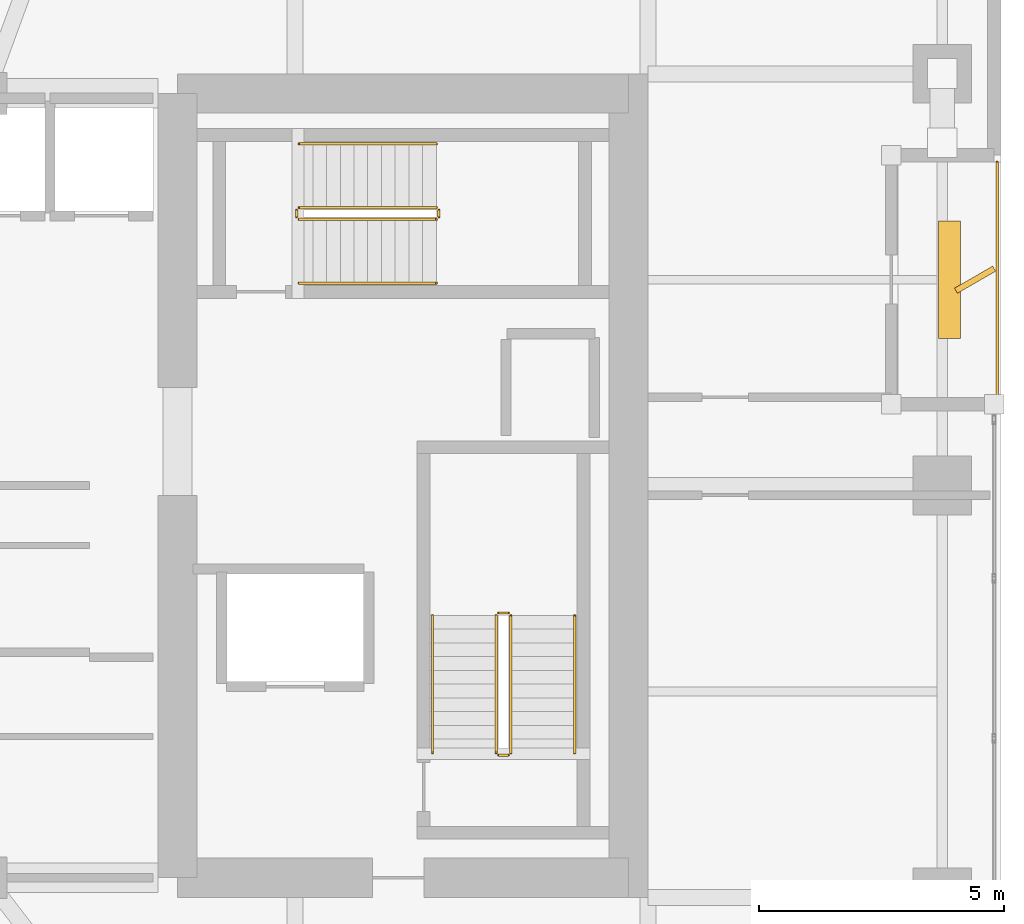
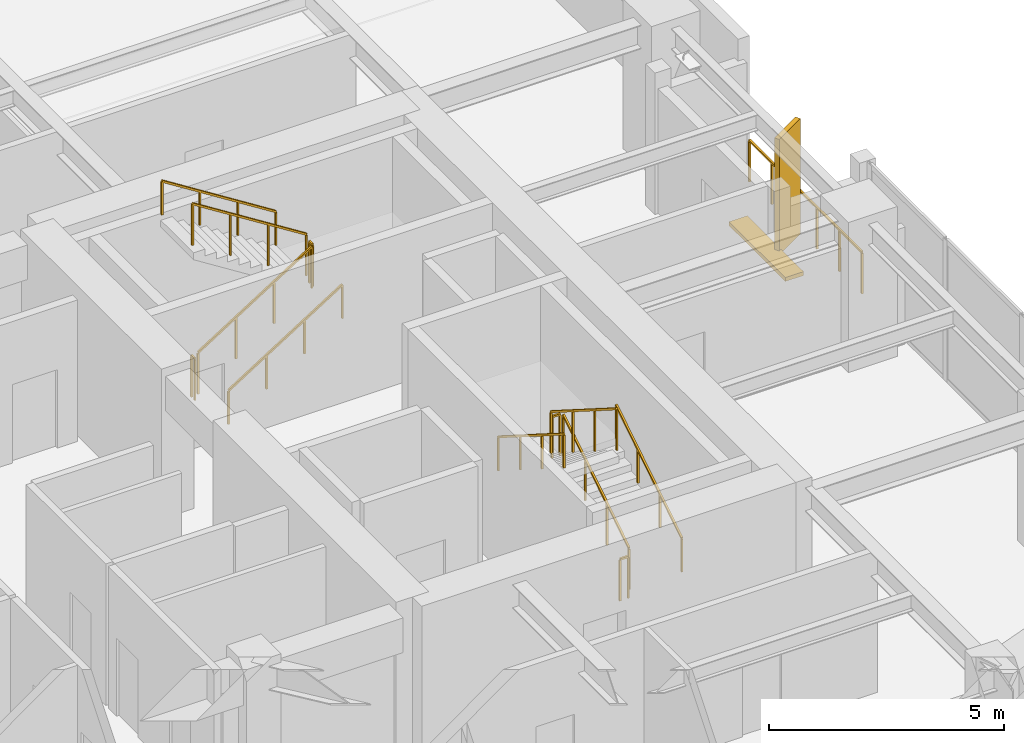
# One storey, part 29 of 30: 13 railings, 2 shading devices.
"""IFC4 building model written with IfcOpenShell, lengths in metres."""

from ifc_helpers import new_model, si_unit, direction, frame, origin, origin_2d, place, context, subcontext, project, spatial, rectangle, extrude, material, type_object, element, save


model = new_model("IFC4")

# Units and contexts
model_context = context("Model", 3, precision=1e-05, world=origin(), true_north=direction((0.0, 1.0)))
body_context = subcontext(model_context, "Body", "Model", "MODEL_VIEW")
ifc_project = project(units=[si_unit("LENGTHUNIT", "METRE"), si_unit("AREAUNIT", "SQUARE_METRE"), si_unit("VOLUMEUNIT", "CUBIC_METRE"), si_unit("PLANEANGLEUNIT", "RADIAN"), si_unit("MASSUNIT", "GRAM", prefix="KILO")], contexts=[model_context])

# Site, building, storey
site_placement = place(None, origin())
site = spatial("IfcSite", under=ifc_project, at=site_placement, CompositionType="ELEMENT")
building_placement = place(site_placement, origin())
building = spatial("IfcBuilding", under=site, at=building_placement, Name="Kiyonajd Concourse Tower", CompositionType="ELEMENT")
storey_placement = place(building_placement, frame((0.0, 0.0, 166.199951171875)))
storey = spatial("IfcBuildingStorey", under=building, at=storey_placement, Name="L42", CompositionType="ELEMENT", Elevation=166.199951171875)

# Railings
ifc_material_1 = material(Name="Thermally Broken Anodised Aluminium", Category="aluminium")
railing_type_1 = type_object("IfcRailingType", Name="RL-GRD-LOG", PredefinedType="GUARDRAIL", material=ifc_material_1)
railing_1_placement = place(storey_placement, frame((70.719970703125, 37.800048828125, 0.0)))
element("IfcRailing", 1, at=railing_1_placement, inside=storey, type_object=railing_type_1, Name="L42 Engawa Loggia Perimeter Guard LOG-E", PredefinedType="GUARDRAIL", context=body_context, shape_type="SweptSolid", body=[
    extrude(rectangle(XDim=0.048095703125, YDim=0.048095703125, at=origin_2d()), frame((0.0, 0.0, 1.076171875), z_axis=(0.0, 1.0, 0.0), x_axis=(-1.0, 0.0, 0.0)), (0.0, 0.0, 1.0), 4.800048828125),
    extrude(rectangle(XDim=0.0419921875, YDim=0.0419921875, at=origin_2d()), origin(), (0.0, 0.0, 1.0), 1.052001953125),
    extrude(rectangle(XDim=0.0419921875, YDim=0.0419921875, at=origin_2d()), frame((0.0, 0.9599609375, 0.0)), (0.0, 0.0, 1.0), 1.052001953125),
    extrude(rectangle(XDim=0.0419921875, YDim=0.0419921875, at=origin_2d()), frame((0.0, 1.919921875, 0.0)), (0.0, 0.0, 1.0), 1.052001953125),
    extrude(rectangle(XDim=0.0419921875, YDim=0.0419921875, at=origin_2d()), frame((0.0, 2.880126953125, 0.0)), (0.0, 0.0, 1.0), 1.052001953125),
    extrude(rectangle(XDim=0.0419921875, YDim=0.0419921875, at=origin_2d()), frame((0.0, 3.840087890625, 0.0)), (0.0, 0.0, 1.0), 1.052001953125),
    extrude(rectangle(XDim=0.0419921875, YDim=0.0419921875, at=origin_2d()), frame((0.0, 4.800048828125, 0.0)), (0.0, 0.0, 1.0), 1.052001953125),
])
ifc_material_2 = material(Name="Steel ASTM A500 Grade C", Category="steel")
railing_type_2 = type_object("IfcRailingType", Name="RL-GRD-STR", PredefinedType="GUARDRAIL", material=ifc_material_2)
railing_2_placement = place(storey_placement, frame((60.800048828125, 30.550048828125, 0.17724609375)))
element("IfcRailing", 2, at=railing_2_placement, inside=storey, type_object=railing_type_2, Name="L42 ST2 stair guard 1", PredefinedType="GUARDRAIL", context=body_context, shape_type="SweptSolid", body=[
    extrude(rectangle(XDim=0.048095703125, YDim=0.048095703125, at=origin_2d()), frame((0.0, 0.0, 1.076171875), z_axis=(0.0, 0.844908973607, 0.534910110503), x_axis=(-1.0, 0.0, 0.0)), (0.0, 0.0, 1.0), 3.31396484375),
    extrude(rectangle(XDim=0.0419921875, YDim=0.0419921875, at=origin_2d()), origin(), (0.0, 0.0, 1.0), 1.052001953125),
    extrude(rectangle(XDim=0.0419921875, YDim=0.0419921875, at=origin_2d()), frame((0.0, 0.933349609375, 0.5908203125)), (0.0, 0.0, 1.0), 1.052001953125),
    extrude(rectangle(XDim=0.0419921875, YDim=0.0419921875, at=origin_2d()), frame((0.0, 1.86669921875, 1.181884765625)), (0.0, 0.0, 1.0), 1.052001953125),
    extrude(rectangle(XDim=0.0419921875, YDim=0.0419921875, at=origin_2d()), frame((0.0, 2.800048828125, 1.772705078125)), (0.0, 0.0, 1.0), 1.052001953125),
])
railing_3_placement = place(storey_placement, frame((60.75, 33.39990234375, 1.949951171875)))
element("IfcRailing", 3, at=railing_3_placement, inside=storey, type_object=railing_type_2, Name="L42 ST2 stair guard 2", PredefinedType="GUARDRAIL", context=body_context, shape_type="SweptSolid", body=[
    extrude(rectangle(XDim=0.048095703125, YDim=0.048095703125, at=origin_2d()), frame((0.0, 0.0, 1.076171875), z_axis=(-1.0, 0.0, 0.0), x_axis=(0.0, -1.0, 0.0)), (0.0, 0.0, 1.0), 0.199951171875),
    extrude(rectangle(XDim=0.0419921875, YDim=0.0419921875, at=origin_2d()), origin(), (0.0, 0.0, 1.0), 1.052001953125),
    extrude(rectangle(XDim=0.0419921875, YDim=0.0419921875, at=origin_2d()), frame((-0.199951171875, 0.0, 0.0)), (0.0, 0.0, 1.0), 1.052001953125),
])
railing_4_placement = place(storey_placement, frame((60.5, 33.35009765625, 2.12744140625)))
element("IfcRailing", 4, at=railing_4_placement, inside=storey, type_object=railing_type_2, Name="L42 ST2 stair guard 3", PredefinedType="GUARDRAIL", context=body_context, shape_type="SweptSolid", body=[
    extrude(rectangle(XDim=0.048095703125, YDim=0.048095703125, at=origin_2d()), frame((0.0, 0.0, 1.076171875), z_axis=(0.0, -0.844908973607, 0.534910110503), x_axis=(1.0, 0.0, 0.0)), (0.0, 0.0, 1.0), 3.31396484375),
    extrude(rectangle(XDim=0.0419921875, YDim=0.0419921875, at=origin_2d()), origin(), (0.0, 0.0, 1.0), 1.052001953125),
    extrude(rectangle(XDim=0.0419921875, YDim=0.0419921875, at=origin_2d()), frame((0.0, -0.933349609375, 0.5908203125)), (0.0, 0.0, 1.0), 1.052001953125),
    extrude(rectangle(XDim=0.0419921875, YDim=0.0419921875, at=origin_2d()), frame((0.0, -1.86669921875, 1.181884765625)), (0.0, 0.0, 1.0), 1.052001953125),
    extrude(rectangle(XDim=0.0419921875, YDim=0.0419921875, at=origin_2d()), frame((0.0, -2.800048828125, 1.772705078125)), (0.0, 0.0, 1.0), 1.052001953125),
])
railing_5_placement = place(storey_placement, frame((60.75, 30.5, 0.0)))
element("IfcRailing", 5, at=railing_5_placement, inside=storey, type_object=railing_type_2, Name="L42 ST2 stair guard 4", PredefinedType="GUARDRAIL", context=body_context, shape_type="SweptSolid", body=[
    extrude(rectangle(XDim=0.048095703125, YDim=0.048095703125, at=origin_2d()), frame((0.0, 0.0, 1.076171875), z_axis=(-1.0, 0.0, 0.0), x_axis=(0.0, -1.0, 0.0)), (0.0, 0.0, 1.0), 0.199951171875),
    extrude(rectangle(XDim=0.0419921875, YDim=0.0419921875, at=origin_2d()), origin(), (0.0, 0.0, 1.0), 1.052001953125),
    extrude(rectangle(XDim=0.0419921875, YDim=0.0419921875, at=origin_2d()), frame((-0.199951171875, 0.0, 0.0)), (0.0, 0.0, 1.0), 1.052001953125),
])
railing_6_placement = place(storey_placement, frame((56.47998046875, 41.429931640625, 0.17724609375)))
element("IfcRailing", 6, at=railing_6_placement, inside=storey, type_object=railing_type_2, Name="L42 ST3 stair guard 1", PredefinedType="GUARDRAIL", context=body_context, shape_type="SweptSolid", body=[
    extrude(rectangle(XDim=0.048095703125, YDim=0.048095703125, at=origin_2d()), frame((0.0, 0.0, 1.076171875), z_axis=(0.844908973607, 0.0, 0.534910110503), x_axis=(0.0, 1.0, 0.0)), (0.0, 0.0, 1.0), 3.31396484375),
    extrude(rectangle(XDim=0.0419921875, YDim=0.0419921875, at=origin_2d()), origin(), (0.0, 0.0, 1.0), 1.052001953125),
    extrude(rectangle(XDim=0.0419921875, YDim=0.0419921875, at=origin_2d()), frame((0.933349609375, 0.0, 0.5908203125)), (0.0, 0.0, 1.0), 1.052001953125),
    extrude(rectangle(XDim=0.0419921875, YDim=0.0419921875, at=origin_2d()), frame((1.86669921875, 0.0, 1.181884765625)), (0.0, 0.0, 1.0), 1.052001953125),
    extrude(rectangle(XDim=0.0419921875, YDim=0.0419921875, at=origin_2d()), frame((2.800048828125, 0.0, 1.772705078125)), (0.0, 0.0, 1.0), 1.052001953125),
])
railing_7_placement = place(storey_placement, frame((59.330078125, 41.47998046875, 1.949951171875)))
element("IfcRailing", 7, at=railing_7_placement, inside=storey, type_object=railing_type_2, Name="L42 ST3 stair guard 2", PredefinedType="GUARDRAIL", context=body_context, shape_type="SweptSolid", body=[
    extrude(rectangle(XDim=0.048095703125, YDim=0.048095703125, at=origin_2d()), frame((0.0, 0.0, 1.076171875), z_axis=(0.0, 1.0, 0.0), x_axis=(-1.0, 0.0, 0.0)), (0.0, 0.0, 1.0), 0.14013671875),
    extrude(rectangle(XDim=0.0419921875, YDim=0.0419921875, at=origin_2d()), origin(), (0.0, 0.0, 1.0), 1.052001953125),
    extrude(rectangle(XDim=0.0419921875, YDim=0.0419921875, at=origin_2d()), frame((0.0, 0.14013671875, 0.0)), (0.0, 0.0, 1.0), 1.052001953125),
])
railing_8_placement = place(storey_placement, frame((59.280029296875, 41.669921875, 2.12744140625)))
element("IfcRailing", 8, at=railing_8_placement, inside=storey, type_object=railing_type_2, Name="L42 ST3 stair guard 3", PredefinedType="GUARDRAIL", context=body_context, shape_type="SweptSolid", body=[
    extrude(rectangle(XDim=0.048095703125, YDim=0.048095703125, at=origin_2d()), frame((0.0, 0.0, 1.076171875), z_axis=(-0.844908973607, 0.0, 0.534910110503), x_axis=(0.0, -1.0, 0.0)), (0.0, 0.0, 1.0), 3.31396484375),
    extrude(rectangle(XDim=0.0419921875, YDim=0.0419921875, at=origin_2d()), origin(), (0.0, 0.0, 1.0), 1.052001953125),
    extrude(rectangle(XDim=0.0419921875, YDim=0.0419921875, at=origin_2d()), frame((-0.933349609375, 0.0, 0.5908203125)), (0.0, 0.0, 1.0), 1.052001953125),
    extrude(rectangle(XDim=0.0419921875, YDim=0.0419921875, at=origin_2d()), frame((-1.86669921875, 0.0, 1.181884765625)), (0.0, 0.0, 1.0), 1.052001953125),
    extrude(rectangle(XDim=0.0419921875, YDim=0.0419921875, at=origin_2d()), frame((-2.800048828125, 0.0, 1.772705078125)), (0.0, 0.0, 1.0), 1.052001953125),
])
railing_9_placement = place(storey_placement, frame((56.429931640625, 41.47998046875, 0.0)))
element("IfcRailing", 9, at=railing_9_placement, inside=storey, type_object=railing_type_2, Name="L42 ST3 stair guard 4", PredefinedType="GUARDRAIL", context=body_context, shape_type="SweptSolid", body=[
    extrude(rectangle(XDim=0.048095703125, YDim=0.048095703125, at=origin_2d()), frame((0.0, 0.0, 1.076171875), z_axis=(0.0, 1.0, 0.0), x_axis=(-1.0, 0.0, 0.0)), (0.0, 0.0, 1.0), 0.14013671875),
    extrude(rectangle(XDim=0.0419921875, YDim=0.0419921875, at=origin_2d()), origin(), (0.0, 0.0, 1.0), 1.052001953125),
    extrude(rectangle(XDim=0.0419921875, YDim=0.0419921875, at=origin_2d()), frame((0.0, 0.14013671875, 0.0)), (0.0, 0.0, 1.0), 1.052001953125),
])
ifc_material_3 = material(Name="Brushed Stainless Steel Cab Assembly", Category="steel")
railing_type_3 = type_object("IfcRailingType", Name="RL-HND-900", PredefinedType="HANDRAIL", material=ifc_material_3)
railing_10_placement = place(storey_placement, frame((62.10009765625, 30.550048828125, 0.17724609375)))
element("IfcRailing", 10, at=railing_10_placement, inside=storey, type_object=railing_type_3, Name="L42 ST2 stair handrail 1", PredefinedType="HANDRAIL", context=body_context, shape_type="SweptSolid", body=[
    extrude(rectangle(XDim=0.048095703125, YDim=0.048095703125, at=origin_2d()), frame((0.0, 0.0, 0.8759765625), z_axis=(0.0, 0.844908973607, 0.534910110503), x_axis=(-1.0, 0.0, 0.0)), (0.0, 0.0, 1.0), 3.31396484375),
    extrude(rectangle(XDim=0.0419921875, YDim=0.0419921875, at=origin_2d()), origin(), (0.0, 0.0, 1.0), 0.851806640625),
    extrude(rectangle(XDim=0.0419921875, YDim=0.0419921875, at=origin_2d()), frame((0.0, 0.933349609375, 0.5908203125)), (0.0, 0.0, 1.0), 0.851806640625),
    extrude(rectangle(XDim=0.0419921875, YDim=0.0419921875, at=origin_2d()), frame((0.0, 1.86669921875, 1.181884765625)), (0.0, 0.0, 1.0), 0.851806640625),
    extrude(rectangle(XDim=0.0419921875, YDim=0.0419921875, at=origin_2d()), frame((0.0, 2.800048828125, 1.772705078125)), (0.0, 0.0, 1.0), 0.851806640625),
])
railing_11_placement = place(storey_placement, frame((59.199951171875, 33.35009765625, 2.12744140625)))
element("IfcRailing", 11, at=railing_11_placement, inside=storey, type_object=railing_type_3, Name="L42 ST2 stair handrail 2", PredefinedType="HANDRAIL", context=body_context, shape_type="SweptSolid", body=[
    extrude(rectangle(XDim=0.048095703125, YDim=0.048095703125, at=origin_2d()), frame((0.0, 0.0, 0.8759765625), z_axis=(0.0, -0.844908973607, 0.534910110503), x_axis=(1.0, 0.0, 0.0)), (0.0, 0.0, 1.0), 3.31396484375),
    extrude(rectangle(XDim=0.0419921875, YDim=0.0419921875, at=origin_2d()), origin(), (0.0, 0.0, 1.0), 0.851806640625),
    extrude(rectangle(XDim=0.0419921875, YDim=0.0419921875, at=origin_2d()), frame((0.0, -0.933349609375, 0.5908203125)), (0.0, 0.0, 1.0), 0.851806640625),
    extrude(rectangle(XDim=0.0419921875, YDim=0.0419921875, at=origin_2d()), frame((0.0, -1.86669921875, 1.181884765625)), (0.0, 0.0, 1.0), 0.851806640625),
    extrude(rectangle(XDim=0.0419921875, YDim=0.0419921875, at=origin_2d()), frame((0.0, -2.800048828125, 1.772705078125)), (0.0, 0.0, 1.0), 0.851806640625),
])
railing_12_placement = place(storey_placement, frame((56.47998046875, 40.1298828125, 0.17724609375)))
element("IfcRailing", 12, at=railing_12_placement, inside=storey, type_object=railing_type_3, Name="L42 ST3 stair handrail 1", PredefinedType="HANDRAIL", context=body_context, shape_type="SweptSolid", body=[
    extrude(rectangle(XDim=0.048095703125, YDim=0.048095703125, at=origin_2d()), frame((0.0, 0.0, 0.8759765625), z_axis=(0.844908973607, 0.0, 0.534910110503), x_axis=(0.0, 1.0, 0.0)), (0.0, 0.0, 1.0), 3.31396484375),
    extrude(rectangle(XDim=0.0419921875, YDim=0.0419921875, at=origin_2d()), origin(), (0.0, 0.0, 1.0), 0.851806640625),
    extrude(rectangle(XDim=0.0419921875, YDim=0.0419921875, at=origin_2d()), frame((0.933349609375, 0.0, 0.5908203125)), (0.0, 0.0, 1.0), 0.851806640625),
    extrude(rectangle(XDim=0.0419921875, YDim=0.0419921875, at=origin_2d()), frame((1.86669921875, 0.0, 1.181884765625)), (0.0, 0.0, 1.0), 0.851806640625),
    extrude(rectangle(XDim=0.0419921875, YDim=0.0419921875, at=origin_2d()), frame((2.800048828125, 0.0, 1.772705078125)), (0.0, 0.0, 1.0), 0.851806640625),
])
railing_13_placement = place(storey_placement, frame((59.280029296875, 42.969970703125, 2.12744140625)))
element("IfcRailing", 13, at=railing_13_placement, inside=storey, type_object=railing_type_3, Name="L42 ST3 stair handrail 2", PredefinedType="HANDRAIL", context=body_context, shape_type="SweptSolid", body=[
    extrude(rectangle(XDim=0.048095703125, YDim=0.048095703125, at=origin_2d()), frame((0.0, 0.0, 0.8759765625), z_axis=(-0.844908973607, 0.0, 0.534910110503), x_axis=(0.0, -1.0, 0.0)), (0.0, 0.0, 1.0), 3.31396484375),
    extrude(rectangle(XDim=0.0419921875, YDim=0.0419921875, at=origin_2d()), origin(), (0.0, 0.0, 1.0), 0.851806640625),
    extrude(rectangle(XDim=0.0419921875, YDim=0.0419921875, at=origin_2d()), frame((-0.933349609375, 0.0, 0.5908203125)), (0.0, 0.0, 1.0), 0.851806640625),
    extrude(rectangle(XDim=0.0419921875, YDim=0.0419921875, at=origin_2d()), frame((-1.86669921875, 0.0, 1.181884765625)), (0.0, 0.0, 1.0), 0.851806640625),
    extrude(rectangle(XDim=0.0419921875, YDim=0.0419921875, at=origin_2d()), frame((-2.800048828125, 0.0, 1.772705078125)), (0.0, 0.0, 1.0), 0.851806640625),
])

# Shading devices
ifc_material_4 = material(Name="Precast concrete C50/60", Category="concrete")
shading_device_type_1 = type_object("IfcShadingDeviceType", Name="SH-FIN-900", PredefinedType="USERDEFINED", material=ifc_material_4)
shading_device_1_placement = place(storey_placement, frame((70.27001953125, 40.199951171875, 0.0), z_axis=(0.0, 0.0, 1.0), x_axis=(0.866025403784, 0.5, 0.0)))
element("IfcShadingDevice", 14, at=shading_device_1_placement, inside=storey, type_object=shading_device_type_1, Name="L42 Angled Koshi Solar Fin LOG-E", ObjectType="FIN", PredefinedType="USERDEFINED", context=body_context, shape_type="SweptSolid", body=[
    extrude(rectangle(XDim=0.89990234375, YDim=0.1201171875, at=origin_2d()), origin(), (0.0, 0.0, 1.0), 3.0),
])
shading_device_type_2 = type_object("IfcShadingDeviceType", Name="SH-LVR-600", PredefinedType="JALOUSIE", material=ifc_material_1)
shading_device_2_placement = place(storey_placement, frame((69.75, 40.199951171875, 0.0), z_axis=(0.0, 0.0, 1.0), x_axis=(0.0, 1.0, 0.0)))
element("IfcShadingDevice", 15, at=shading_device_2_placement, inside=storey, type_object=shading_device_type_2, Name="L42 Loggia Threshold Louver LOG-E", PredefinedType="JALOUSIE", context=body_context, shape_type="SweptSolid", body=[
    extrude(rectangle(XDim=2.39990234375, YDim=0.449951171875, at=origin_2d()), origin(), (0.0, 0.0, 1.0), 0.10009765625),
])

save(model, "model.ifc")
